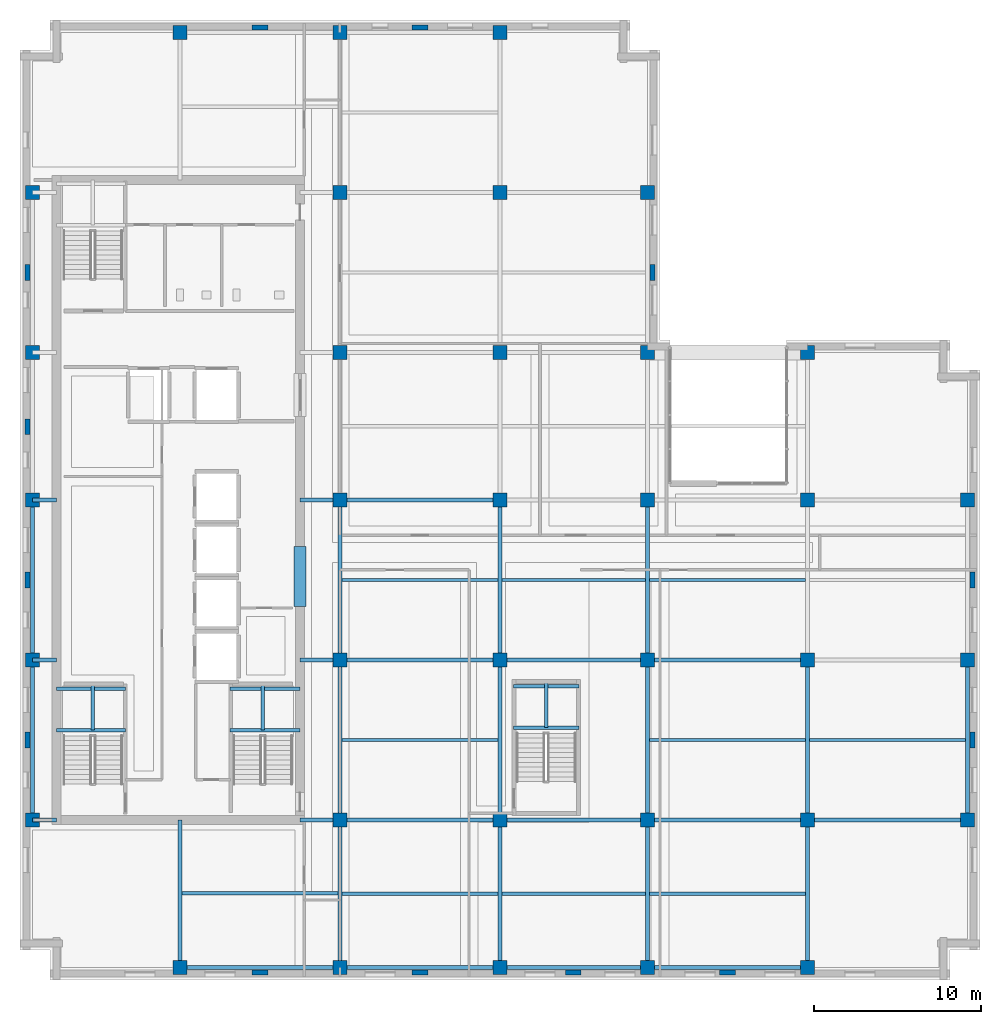
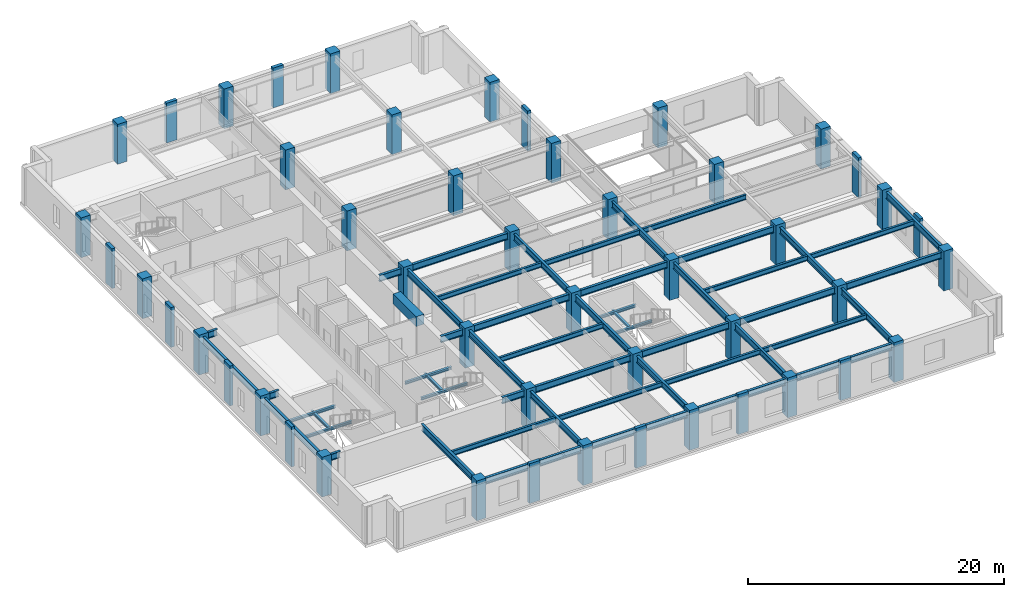
# One storey, part 1 of 12: 53 beams, 48 columns.
"""IFC4 building model written with IfcOpenShell, lengths in metres."""

from ifc_helpers import new_model, si_unit, direction, frame, origin, origin_2d, place, context, subcontext, project, spatial, rectangle, i_section, extrude, material, material_profile, profile_set, type_object, element, save


model = new_model("IFC4")

# Units and contexts
model_context = context("Model", 3, precision=1e-05, world=origin(), true_north=direction((0.0, 1.0)))
body_context = subcontext(model_context, "Body", "Model", "MODEL_VIEW")
ifc_project = project(units=[si_unit("LENGTHUNIT", "METRE"), si_unit("AREAUNIT", "SQUARE_METRE"), si_unit("VOLUMEUNIT", "CUBIC_METRE"), si_unit("PLANEANGLEUNIT", "RADIAN"), si_unit("MASSUNIT", "GRAM", prefix="KILO")], contexts=[model_context])

# Site, building, storey
site_placement = place(None, origin())
site = spatial("IfcSite", under=ifc_project, at=site_placement, CompositionType="ELEMENT")
building_placement = place(site_placement, origin())
building = spatial("IfcBuilding", under=site, at=building_placement, Name="Norrvale University Quadrangle", CompositionType="ELEMENT")
storey_placement = place(building_placement, frame((0.0, 0.0, 225.60009765625)))
storey = spatial("IfcBuildingStorey", under=building, at=storey_placement, Name="L57", CompositionType="ELEMENT", Elevation=225.60009765625)

# Columns
ifc_material_1 = material(Name="Red Manganese Brick Concrete C60/75", Category="concrete")
ifc_material_profile_1 = material_profile(ifc_material_1, rectangle(XDim=0.949951171875, YDim=0.300048828125, at=origin_2d()), Name="Red Manganese Brick Concrete C60/75")
ifc_profile_set_1 = profile_set([ifc_material_profile_1], Name="Red Manganese Brick Concrete C60/75")
column_type_1 = type_object("IfcColumnType", Name="Column Brick Pier 950x300", PredefinedType="PILASTER", material=ifc_profile_set_1)
for number, where, z_axis, x_axis, name in (
    (1, (0.449951171875, 14.39990234375, 0.0), (0.0, 0.0, 1.0), (0.0, 1.0, 0.0), "Exterior Brick Facade Pilaster L57-01"),
    (2, (0.449951171875, 24.0, 0.0), (0.0, 0.0, 1.0), (0.0, 1.0, 0.0), "Exterior Brick Facade Pilaster L57-02"),
    (3, (0.449951171875, 33.199951171875, 0.0), (0.0, 0.0, 1.0), (0.0, 1.0, 0.0), "Exterior Brick Facade Pilaster L57-03"),
    (4, (0.449951171875, 42.449951171875, 0.0), (0.0, 0.0, 1.0), (0.0, 1.0, 0.0), "Exterior Brick Facade Pilaster L57-04"),
    (5, (14.39990234375, 0.449951171875, 0.0), (0.0, 0.0, 1.0), (1.0, 0.0, 0.0), "Exterior Brick Facade Pilaster L57-05"),
    (6, (24.0, 0.449951171875, 0.0), (0.0, 0.0, 1.0), (1.0, 0.0, 0.0), "Exterior Brick Facade Pilaster L57-06"),
    (7, (33.199951171875, 0.449951171875, 0.0), (0.0, 0.0, 1.0), (1.0, 0.0, 0.0), "Exterior Brick Facade Pilaster L57-07"),
    (8, (42.449951171875, 0.449951171875, 0.0), (0.0, 0.0, 1.0), (1.0, 0.0, 0.0), "Exterior Brick Facade Pilaster L57-08"),
    (9, (57.14990234375, 14.39990234375, 0.0), (0.0, 0.0, 1.0), (0.0, 1.0, 0.0), "Exterior Brick Facade Pilaster L57-09"),
    (10, (57.14990234375, 24.0, 0.0), (0.0, 0.0, 1.0), (0.0, 1.0, 0.0), "Exterior Brick Facade Pilaster L57-10"),
    (11, (14.39990234375, 57.14990234375, 0.0), (0.0, 0.0, 1.0), (1.0, 0.0, 0.0), "Exterior Brick Facade Pilaster L57-11"),
    (12, (24.0, 57.14990234375, 0.0), (0.0, 0.0, 1.0), (1.0, 0.0, 0.0), "Exterior Brick Facade Pilaster L57-12"),
    (13, (37.949951171875, 42.449951171875, 0.0), (0.0, 0.0, 1.0), (0.0, 1.0, 0.0), "Exterior Brick Facade Pilaster L57-13"),
):
    element("IfcColumn", number, at=place(storey_placement, frame(where, z_axis=z_axis, x_axis=x_axis)), inside=storey, type_object=column_type_1, Name=name, PredefinedType="PILASTER", context=body_context, shape_type="SweptSolid", body=[
        extrude(rectangle(XDim=0.949951171875, YDim=0.300048828125, at=origin_2d()), origin(), (0.0, 0.0, 1.0), 3.7998046875),
    ])
ifc_material_2 = material(Name="Concrete C60/75", Category="concrete")
ifc_material_profile_2 = material_profile(ifc_material_2, rectangle(XDim=0.85009765625, YDim=0.85009765625, at=origin_2d()), Name="Concrete C60/75")
ifc_profile_set_2 = profile_set([ifc_material_profile_2], Name="Concrete C60/75")
column_type_2 = type_object("IfcColumnType", Name="Column Tower Z3 850x850", PredefinedType="COLUMN", material=ifc_profile_set_2)
for number, where, z_axis, x_axis, name in (
    (14, (0.75, 9.60009765625, 0.0), (0.0, 0.0, 1.0), (1.0, 0.0, 0.0), "Tower Column L57-T01"),
    (15, (0.75, 19.199951171875, 0.0), (0.0, 0.0, 1.0), (1.0, 0.0, 0.0), "Tower Column L57-T02"),
    (16, (0.75, 28.800048828125, 0.0), (0.0, 0.0, 1.0), (1.0, 0.0, 0.0), "Tower Column L57-T03"),
    (17, (0.75, 37.64990234375, 0.0), (0.0, 0.0, 1.0), (1.0, 0.0, 0.0), "Tower Column L57-T04"),
    (18, (0.75, 47.25, 0.0), (0.0, 0.0, 1.0), (1.0, 0.0, 0.0), "Tower Column L57-T05"),
    (19, (9.60009765625, 0.75, 0.0), (0.0, 0.0, 1.0), (1.0, 0.0, 0.0), "Tower Column L57-T06"),
    (20, (9.60009765625, 56.85009765625, 0.0), (0.0, 0.0, 1.0), (1.0, 0.0, 0.0), "Tower Column L57-T07"),
    (21, (19.199951171875, 0.75, 0.0), (0.0, 0.0, 1.0), (1.0, 0.0, 0.0), "Tower Column L57-T08"),
    (22, (19.199951171875, 9.60009765625, 0.0), (0.0, 0.0, 1.0), (1.0, 0.0, 0.0), "Tower Column L57-T09"),
    (23, (19.199951171875, 19.199951171875, 0.0), (0.0, 0.0, 1.0), (1.0, 0.0, 0.0), "Tower Column L57-T10"),
    (24, (19.199951171875, 28.800048828125, 0.0), (0.0, 0.0, 1.0), (1.0, 0.0, 0.0), "Tower Column L57-T11"),
    (25, (19.199951171875, 37.64990234375, 0.0), (0.0, 0.0, 1.0), (1.0, 0.0, 0.0), "Tower Column L57-T12"),
    (26, (19.199951171875, 47.25, 0.0), (0.0, 0.0, 1.0), (1.0, 0.0, 0.0), "Tower Column L57-T13"),
    (27, (19.199951171875, 56.85009765625, 0.0), (0.0, 0.0, 1.0), (1.0, 0.0, 0.0), "Tower Column L57-T14"),
    (28, (28.800048828125, 0.75, 0.0), (0.0, 0.0, 1.0), (1.0, 0.0, 0.0), "Tower Column L57-T15"),
    (29, (28.800048828125, 9.60009765625, 0.0), (0.0, 0.0, 1.0), (1.0, 0.0, 0.0), "Tower Column L57-T16"),
    (30, (28.800048828125, 19.199951171875, 0.0), (0.0, 0.0, 1.0), (1.0, 0.0, 0.0), "Tower Column L57-T17"),
    (31, (28.800048828125, 28.800048828125, 0.0), (0.0, 0.0, 1.0), (1.0, 0.0, 0.0), "Tower Column L57-T18"),
    (32, (28.800048828125, 37.64990234375, 0.0), (0.0, 0.0, 1.0), (1.0, 0.0, 0.0), "Tower Column L57-T19"),
    (33, (28.800048828125, 47.25, 0.0), (0.0, 0.0, 1.0), (1.0, 0.0, 0.0), "Tower Column L57-T20"),
    (34, (28.800048828125, 56.85009765625, 0.0), (0.0, 0.0, 1.0), (1.0, 0.0, 0.0), "Tower Column L57-T21"),
    (35, (37.64990234375, 0.75, 0.0), (0.0, 0.0, 1.0), (1.0, 0.0, 0.0), "Tower Column L57-T22"),
    (36, (37.64990234375, 9.60009765625, 0.0), (0.0, 0.0, 1.0), (1.0, 0.0, 0.0), "Tower Column L57-T23"),
    (37, (37.64990234375, 19.199951171875, 0.0), (0.0, 0.0, 1.0), (1.0, 0.0, 0.0), "Tower Column L57-T24"),
    (38, (37.64990234375, 28.800048828125, 0.0), (0.0, 0.0, 1.0), (1.0, 0.0, 0.0), "Tower Column L57-T25"),
    (39, (37.64990234375, 37.64990234375, 0.0), (0.0, 0.0, 1.0), (1.0, 0.0, 0.0), "Tower Column L57-T26"),
    (40, (37.64990234375, 47.25, 0.0), (0.0, 0.0, 1.0), (1.0, 0.0, 0.0), "Tower Column L57-T27"),
    (41, (47.25, 0.75, 0.0), (0.0, 0.0, 1.0), (1.0, 0.0, 0.0), "Tower Column L57-T28"),
    (42, (47.25, 9.60009765625, 0.0), (0.0, 0.0, 1.0), (1.0, 0.0, 0.0), "Tower Column L57-T29"),
    (43, (47.25, 19.199951171875, 0.0), (0.0, 0.0, 1.0), (1.0, 0.0, 0.0), "Tower Column L57-T30"),
    (44, (47.25, 28.800048828125, 0.0), (0.0, 0.0, 1.0), (1.0, 0.0, 0.0), "Tower Column L57-T31"),
    (45, (47.25, 37.64990234375, 0.0), (0.0, 0.0, 1.0), (1.0, 0.0, 0.0), "Tower Column L57-T32"),
    (46, (56.85009765625, 9.60009765625, 0.0), (0.0, 0.0, 1.0), (1.0, 0.0, 0.0), "Tower Column L57-T33"),
    (47, (56.85009765625, 19.199951171875, 0.0), (0.0, 0.0, 1.0), (1.0, 0.0, 0.0), "Tower Column L57-T34"),
    (48, (56.85009765625, 28.800048828125, 0.0), (0.0, 0.0, 1.0), (1.0, 0.0, 0.0), "Tower Column L57-T35"),
):
    element("IfcColumn", number, at=place(storey_placement, frame(where, z_axis=z_axis, x_axis=x_axis)), inside=storey, type_object=column_type_2, Name=name, PredefinedType="COLUMN", context=body_context, shape_type="SweptSolid", body=[
        extrude(rectangle(XDim=0.85009765625, YDim=0.85009765625, at=origin_2d()), origin(), (0.0, 0.0, 1.0), 3.7998046875),
    ])

# Beams
ifc_material_3 = material(Name="Concrete C80/95", Category="concrete")
ifc_material_profile_3 = material_profile(ifc_material_3, rectangle(XDim=0.699951171875, YDim=0.949951171875, at=origin_2d()), Name="Concrete C80/95")
ifc_profile_set_3 = profile_set([ifc_material_profile_3], Name="Concrete C80/95")
beam_type_1 = type_object("IfcBeamType", Name="Beam Core Link 700x950", PredefinedType="LINTEL", material=ifc_profile_set_3)
beam_1_placement = place(storey_placement, frame((16.800048828125, 22.39990234375, 3.06494140625), z_axis=(0.0, 1.0, 0.0), x_axis=(-1.0, 0.0, 0.0)))
element("IfcBeam", 49, at=beam_1_placement, inside=storey, type_object=beam_type_1, Name="Core Coupling Lintel Beam L57-1", PredefinedType="LINTEL", context=body_context, shape_type="SweptSolid", body=[
    extrude(rectangle(XDim=0.699951171875, YDim=0.949951171875, at=origin_2d()), origin(), (0.0, 0.0, 1.0), 3.60009765625),
])
ifc_material_4 = material(Name="Steel 350W", Category="steel")
ifc_material_profile_4 = material_profile(ifc_material_4, i_section(OverallWidth=0.194091796875, OverallDepth=0.468994140625, WebThickness=0.0126953125, FlangeThickness=0.0205078125, FilletRadius=0.012939453125, at=origin_2d()), Name="Steel 350W")
ifc_profile_set_4 = profile_set([ifc_material_profile_4], Name="Steel 350W")
beam_type_2 = type_object("IfcBeamType", Name="Beam Floor W460x106", PredefinedType="BEAM", material=ifc_profile_set_4)
for number, where, z_axis, x_axis, name in (
    (50, (19.31494140625, 5.175048828125, 3.305419921875), (1.0, 0.0, 0.0), (0.0, 1.0, 0.0), "Beam Floor W460x106 BM-L57-J060"),
    (51, (19.31494140625, 14.39990234375, 3.305419921875), (1.0, 0.0, 0.0), (0.0, 1.0, 0.0), "Beam Floor W460x106 BM-L57-J061"),
    (52, (19.31494140625, 24.0, 3.305419921875), (1.0, 0.0, 0.0), (0.0, 1.0, 0.0), "Beam Floor W460x106 BM-L57-J062"),
):
    element("IfcBeam", number, at=place(storey_placement, frame(where, z_axis=z_axis, x_axis=x_axis)), inside=storey, type_object=beam_type_2, Name=name, PredefinedType="BEAM", context=body_context, shape_type="SweptSolid", body=[
        extrude(i_section(OverallWidth=0.194091796875, OverallDepth=0.468994140625, WebThickness=0.0126953125, FlangeThickness=0.0205078125, FilletRadius=0.012939453125, at=origin_2d()), origin(), (0.0, 0.0, 1.0), 9.3701171875),
    ])
for number, where, z_axis, x_axis, name in (
    (53, (28.9150390625, 5.175048828125, 3.305419921875), (1.0, 0.0, 0.0), (0.0, 1.0, 0.0), "Beam Floor W460x106 BM-L57-J066"),
    (54, (28.9150390625, 24.0, 3.305419921875), (1.0, 0.0, 0.0), (0.0, 1.0, 0.0), "Beam Floor W460x106 BM-L57-J067"),
):
    element("IfcBeam", number, at=place(storey_placement, frame(where, z_axis=z_axis, x_axis=x_axis)), inside=storey, type_object=beam_type_2, Name=name, PredefinedType="BEAM", context=body_context, shape_type="SweptSolid", body=[
        extrude(i_section(OverallWidth=0.194091796875, OverallDepth=0.468994140625, WebThickness=0.0126953125, FlangeThickness=0.0205078125, FilletRadius=0.012939453125, at=origin_2d()), origin(), (0.0, 0.0, 1.0), 8.619873046875),
    ])
for number, where, z_axis, x_axis, name in (
    (55, (37.764892578125, 5.175048828125, 3.305419921875), (1.0, 0.0, 0.0), (0.0, 1.0, 0.0), "Beam Floor W460x106 BM-L57-J070"),
    (56, (37.764892578125, 14.39990234375, 3.305419921875), (1.0, 0.0, 0.0), (0.0, 1.0, 0.0), "Beam Floor W460x106 BM-L57-J071"),
    (57, (37.764892578125, 24.0, 3.305419921875), (1.0, 0.0, 0.0), (0.0, 1.0, 0.0), "Beam Floor W460x106 BM-L57-J072"),
    (58, (47.364990234375, 14.39990234375, 3.305419921875), (1.0, 0.0, 0.0), (0.0, 1.0, 0.0), "Beam Floor W460x106 BM-L57-J074"),
):
    element("IfcBeam", number, at=place(storey_placement, frame(where, z_axis=z_axis, x_axis=x_axis)), inside=storey, type_object=beam_type_2, Name=name, PredefinedType="BEAM", context=body_context, shape_type="SweptSolid", body=[
        extrude(i_section(OverallWidth=0.194091796875, OverallDepth=0.468994140625, WebThickness=0.0126953125, FlangeThickness=0.0205078125, FilletRadius=0.012939453125, at=origin_2d()), origin(), (0.0, 0.0, 1.0), 9.3701171875),
    ])
beam_2_placement = place(storey_placement, frame((9.715087890625, 5.199951171875, 3.305419921875), z_axis=(1.0, 0.0, 0.0), x_axis=(0.0, 1.0, 0.0)))
element("IfcBeam", 59, at=beam_2_placement, inside=storey, type_object=beam_type_2, Name="Beam Floor W460x106 BM-L57-JCS077", PredefinedType="BEAM", context=body_context, shape_type="SweptSolid", body=[
    extrude(i_section(OverallWidth=0.194091796875, OverallDepth=0.468994140625, WebThickness=0.0126953125, FlangeThickness=0.0205078125, FilletRadius=0.012939453125, at=origin_2d()), origin(), (0.0, 0.0, 1.0), 9.369873046875),
])
ifc_material_profile_5 = material_profile(ifc_material_4, i_section(OverallWidth=0.22998046875, OverallDepth=0.616943359375, WebThickness=0.01318359375, FlangeThickness=0.022216796875, FilletRadius=0.01611328125, at=origin_2d()), Name="Steel 350W")
ifc_profile_set_5 = profile_set([ifc_material_profile_5], Name="Steel 350W")
beam_type_3 = type_object("IfcBeamType", Name="Beam Floor W610x140", PredefinedType="BEAM", material=ifc_profile_set_5)
beam_3_placement = place(storey_placement, frame((9.60009765625, 0.75, 3.2314453125), z_axis=(1.0, 0.0, 0.0), x_axis=(0.0, 1.0, 0.0)))
element("IfcBeam", 60, at=beam_3_placement, inside=storey, type_object=beam_type_3, Name="Beam Floor W610x140 BM-L57-GX001", PredefinedType="BEAM", context=body_context, shape_type="SweptSolid", body=[
    extrude(i_section(OverallWidth=0.22998046875, OverallDepth=0.616943359375, WebThickness=0.01318359375, FlangeThickness=0.022216796875, FilletRadius=0.01611328125, at=origin_2d()), origin(), (0.0, 0.0, 1.0), 9.599853515625),
])
beam_4_placement = place(storey_placement, frame((19.199951171875, 0.75, 3.2314453125), z_axis=(1.0, 0.0, 0.0), x_axis=(0.0, 1.0, 0.0)))
element("IfcBeam", 61, at=beam_4_placement, inside=storey, type_object=beam_type_3, Name="Beam Floor W610x140 BM-L57-GX002", PredefinedType="BEAM", context=body_context, shape_type="SweptSolid", body=[
    extrude(i_section(OverallWidth=0.22998046875, OverallDepth=0.616943359375, WebThickness=0.01318359375, FlangeThickness=0.022216796875, FilletRadius=0.01611328125, at=origin_2d()), origin(), (0.0, 0.0, 1.0), 9.60009765625),
])
beam_5_placement = place(storey_placement, frame((28.800048828125, 0.75, 3.2314453125), z_axis=(1.0, 0.0, 0.0), x_axis=(0.0, 1.0, 0.0)))
element("IfcBeam", 62, at=beam_5_placement, inside=storey, type_object=beam_type_3, Name="Beam Floor W610x140 BM-L57-GX003", PredefinedType="BEAM", context=body_context, shape_type="SweptSolid", body=[
    extrude(i_section(OverallWidth=0.22998046875, OverallDepth=0.616943359375, WebThickness=0.01318359375, FlangeThickness=0.022216796875, FilletRadius=0.01611328125, at=origin_2d()), origin(), (0.0, 0.0, 1.0), 8.849853515625),
])
for number, where, z_axis, x_axis, name in (
    (63, (37.64990234375, 0.75, 3.2314453125), (1.0, 0.0, 0.0), (0.0, 1.0, 0.0), "Beam Floor W610x140 BM-L57-GX004"),
    (64, (19.199951171875, 9.60009765625, 3.2314453125), (1.0, 0.0, 0.0), (0.0, 1.0, 0.0), "Beam Floor W610x140 BM-L57-GX005"),
):
    element("IfcBeam", number, at=place(storey_placement, frame(where, z_axis=z_axis, x_axis=x_axis)), inside=storey, type_object=beam_type_3, Name=name, PredefinedType="BEAM", context=body_context, shape_type="SweptSolid", body=[
        extrude(i_section(OverallWidth=0.22998046875, OverallDepth=0.616943359375, WebThickness=0.01318359375, FlangeThickness=0.022216796875, FilletRadius=0.01611328125, at=origin_2d()), origin(), (0.0, 0.0, 1.0), 9.60009765625),
    ])
beam_6_placement = place(storey_placement, frame((28.800048828125, 9.60009765625, 3.2314453125), z_axis=(1.0, 0.0, 0.0), x_axis=(0.0, 1.0, 0.0)))
element("IfcBeam", 65, at=beam_6_placement, inside=storey, type_object=beam_type_3, Name="Beam Floor W610x140 BM-L57-GX006", PredefinedType="BEAM", context=body_context, shape_type="SweptSolid", body=[
    extrude(i_section(OverallWidth=0.22998046875, OverallDepth=0.616943359375, WebThickness=0.01318359375, FlangeThickness=0.022216796875, FilletRadius=0.01611328125, at=origin_2d()), origin(), (0.0, 0.0, 1.0), 8.849853515625),
])
for number, where, z_axis, x_axis, name in (
    (66, (37.64990234375, 9.60009765625, 3.2314453125), (1.0, 0.0, 0.0), (0.0, 1.0, 0.0), "Beam Floor W610x140 BM-L57-GX007"),
    (67, (47.25, 9.60009765625, 3.2314453125), (1.0, 0.0, 0.0), (0.0, 1.0, 0.0), "Beam Floor W610x140 BM-L57-GX008"),
    (68, (19.199951171875, 19.199951171875, 3.2314453125), (1.0, 0.0, 0.0), (0.0, 1.0, 0.0), "Beam Floor W610x140 BM-L57-GX009"),
):
    element("IfcBeam", number, at=place(storey_placement, frame(where, z_axis=z_axis, x_axis=x_axis)), inside=storey, type_object=beam_type_3, Name=name, PredefinedType="BEAM", context=body_context, shape_type="SweptSolid", body=[
        extrude(i_section(OverallWidth=0.22998046875, OverallDepth=0.616943359375, WebThickness=0.01318359375, FlangeThickness=0.022216796875, FilletRadius=0.01611328125, at=origin_2d()), origin(), (0.0, 0.0, 1.0), 9.60009765625),
    ])
beam_7_placement = place(storey_placement, frame((28.800048828125, 19.199951171875, 3.2314453125), z_axis=(1.0, 0.0, 0.0), x_axis=(0.0, 1.0, 0.0)))
element("IfcBeam", 69, at=beam_7_placement, inside=storey, type_object=beam_type_3, Name="Beam Floor W610x140 BM-L57-GX010", PredefinedType="BEAM", context=body_context, shape_type="SweptSolid", body=[
    extrude(i_section(OverallWidth=0.22998046875, OverallDepth=0.616943359375, WebThickness=0.01318359375, FlangeThickness=0.022216796875, FilletRadius=0.01611328125, at=origin_2d()), origin(), (0.0, 0.0, 1.0), 8.849853515625),
])
for number, where, z_axis, x_axis, name in (
    (70, (37.64990234375, 19.199951171875, 3.2314453125), (1.0, 0.0, 0.0), (0.0, 1.0, 0.0), "Beam Floor W610x140 BM-L57-GX011"),
    (71, (19.199951171875, 28.800048828125, 3.2314453125), (1.0, 0.0, 0.0), (0.0, 1.0, 0.0), "Beam Floor W610x140 BM-L57-GX013"),
):
    element("IfcBeam", number, at=place(storey_placement, frame(where, z_axis=z_axis, x_axis=x_axis)), inside=storey, type_object=beam_type_3, Name=name, PredefinedType="BEAM", context=body_context, shape_type="SweptSolid", body=[
        extrude(i_section(OverallWidth=0.22998046875, OverallDepth=0.616943359375, WebThickness=0.01318359375, FlangeThickness=0.022216796875, FilletRadius=0.01611328125, at=origin_2d()), origin(), (0.0, 0.0, 1.0), 9.60009765625),
    ])
beam_8_placement = place(storey_placement, frame((0.75, 9.60009765625, 3.2314453125), z_axis=(0.0, 1.0, 0.0), x_axis=(-1.0, 0.0, 0.0)))
element("IfcBeam", 72, at=beam_8_placement, inside=storey, type_object=beam_type_3, Name="Beam Floor W610x140 BM-L57-GY023", PredefinedType="BEAM", context=body_context, shape_type="SweptSolid", body=[
    extrude(i_section(OverallWidth=0.22998046875, OverallDepth=0.616943359375, WebThickness=0.01318359375, FlangeThickness=0.022216796875, FilletRadius=0.01611328125, at=origin_2d()), origin(), (0.0, 0.0, 1.0), 9.599853515625),
])
beam_9_placement = place(storey_placement, frame((0.75, 19.199951171875, 3.2314453125), z_axis=(0.0, 1.0, 0.0), x_axis=(-1.0, 0.0, 0.0)))
element("IfcBeam", 73, at=beam_9_placement, inside=storey, type_object=beam_type_3, Name="Beam Floor W610x140 BM-L57-GY024", PredefinedType="BEAM", context=body_context, shape_type="SweptSolid", body=[
    extrude(i_section(OverallWidth=0.22998046875, OverallDepth=0.616943359375, WebThickness=0.01318359375, FlangeThickness=0.022216796875, FilletRadius=0.01611328125, at=origin_2d()), origin(), (0.0, 0.0, 1.0), 9.60009765625),
])
beam_10_placement = place(storey_placement, frame((19.199951171875, 0.75, 3.2314453125), z_axis=(0.0, 1.0, 0.0), x_axis=(-1.0, 0.0, 0.0)))
element("IfcBeam", 74, at=beam_10_placement, inside=storey, type_object=beam_type_3, Name="Beam Floor W610x140 BM-L57-GY027", PredefinedType="BEAM", context=body_context, shape_type="SweptSolid", body=[
    extrude(i_section(OverallWidth=0.22998046875, OverallDepth=0.616943359375, WebThickness=0.01318359375, FlangeThickness=0.022216796875, FilletRadius=0.01611328125, at=origin_2d()), origin(), (0.0, 0.0, 1.0), 8.85009765625),
])
beam_11_placement = place(storey_placement, frame((19.199951171875, 9.60009765625, 3.2314453125), z_axis=(0.0, 1.0, 0.0), x_axis=(-1.0, 0.0, 0.0)))
element("IfcBeam", 75, at=beam_11_placement, inside=storey, type_object=beam_type_3, Name="Beam Floor W610x140 BM-L57-GY028", PredefinedType="BEAM", context=body_context, shape_type="SweptSolid", body=[
    extrude(i_section(OverallWidth=0.22998046875, OverallDepth=0.616943359375, WebThickness=0.01318359375, FlangeThickness=0.022216796875, FilletRadius=0.01611328125, at=origin_2d()), origin(), (0.0, 0.0, 1.0), 9.599853515625),
])
beam_12_placement = place(storey_placement, frame((19.199951171875, 19.199951171875, 3.2314453125), z_axis=(0.0, 1.0, 0.0), x_axis=(-1.0, 0.0, 0.0)))
element("IfcBeam", 76, at=beam_12_placement, inside=storey, type_object=beam_type_3, Name="Beam Floor W610x140 BM-L57-GY029", PredefinedType="BEAM", context=body_context, shape_type="SweptSolid", body=[
    extrude(i_section(OverallWidth=0.22998046875, OverallDepth=0.616943359375, WebThickness=0.01318359375, FlangeThickness=0.022216796875, FilletRadius=0.01611328125, at=origin_2d()), origin(), (0.0, 0.0, 1.0), 9.60009765625),
])
beam_13_placement = place(storey_placement, frame((28.800048828125, 0.75, 3.2314453125), z_axis=(0.0, 1.0, 0.0), x_axis=(-1.0, 0.0, 0.0)))
element("IfcBeam", 77, at=beam_13_placement, inside=storey, type_object=beam_type_3, Name="Beam Floor W610x140 BM-L57-GY033", PredefinedType="BEAM", context=body_context, shape_type="SweptSolid", body=[
    extrude(i_section(OverallWidth=0.22998046875, OverallDepth=0.616943359375, WebThickness=0.01318359375, FlangeThickness=0.022216796875, FilletRadius=0.01611328125, at=origin_2d()), origin(), (0.0, 0.0, 1.0), 8.85009765625),
])
beam_14_placement = place(storey_placement, frame((28.800048828125, 9.60009765625, 3.2314453125), z_axis=(0.0, 1.0, 0.0), x_axis=(-1.0, 0.0, 0.0)))
element("IfcBeam", 78, at=beam_14_placement, inside=storey, type_object=beam_type_3, Name="Beam Floor W610x140 BM-L57-GY034", PredefinedType="BEAM", context=body_context, shape_type="SweptSolid", body=[
    extrude(i_section(OverallWidth=0.22998046875, OverallDepth=0.616943359375, WebThickness=0.01318359375, FlangeThickness=0.022216796875, FilletRadius=0.01611328125, at=origin_2d()), origin(), (0.0, 0.0, 1.0), 9.599853515625),
])
beam_15_placement = place(storey_placement, frame((28.800048828125, 19.199951171875, 3.2314453125), z_axis=(0.0, 1.0, 0.0), x_axis=(-1.0, 0.0, 0.0)))
element("IfcBeam", 79, at=beam_15_placement, inside=storey, type_object=beam_type_3, Name="Beam Floor W610x140 BM-L57-GY035", PredefinedType="BEAM", context=body_context, shape_type="SweptSolid", body=[
    extrude(i_section(OverallWidth=0.22998046875, OverallDepth=0.616943359375, WebThickness=0.01318359375, FlangeThickness=0.022216796875, FilletRadius=0.01611328125, at=origin_2d()), origin(), (0.0, 0.0, 1.0), 9.60009765625),
])
beam_16_placement = place(storey_placement, frame((37.64990234375, 0.75, 3.2314453125), z_axis=(0.0, 1.0, 0.0), x_axis=(-1.0, 0.0, 0.0)))
element("IfcBeam", 80, at=beam_16_placement, inside=storey, type_object=beam_type_3, Name="Beam Floor W610x140 BM-L57-GY039", PredefinedType="BEAM", context=body_context, shape_type="SweptSolid", body=[
    extrude(i_section(OverallWidth=0.22998046875, OverallDepth=0.616943359375, WebThickness=0.01318359375, FlangeThickness=0.022216796875, FilletRadius=0.01611328125, at=origin_2d()), origin(), (0.0, 0.0, 1.0), 8.85009765625),
])
beam_17_placement = place(storey_placement, frame((37.64990234375, 9.60009765625, 3.2314453125), z_axis=(0.0, 1.0, 0.0), x_axis=(-1.0, 0.0, 0.0)))
element("IfcBeam", 81, at=beam_17_placement, inside=storey, type_object=beam_type_3, Name="Beam Floor W610x140 BM-L57-GY040", PredefinedType="BEAM", context=body_context, shape_type="SweptSolid", body=[
    extrude(i_section(OverallWidth=0.22998046875, OverallDepth=0.616943359375, WebThickness=0.01318359375, FlangeThickness=0.022216796875, FilletRadius=0.01611328125, at=origin_2d()), origin(), (0.0, 0.0, 1.0), 9.599853515625),
])
beam_18_placement = place(storey_placement, frame((37.64990234375, 19.199951171875, 3.2314453125), z_axis=(0.0, 1.0, 0.0), x_axis=(-1.0, 0.0, 0.0)))
element("IfcBeam", 82, at=beam_18_placement, inside=storey, type_object=beam_type_3, Name="Beam Floor W610x140 BM-L57-GY041", PredefinedType="BEAM", context=body_context, shape_type="SweptSolid", body=[
    extrude(i_section(OverallWidth=0.22998046875, OverallDepth=0.616943359375, WebThickness=0.01318359375, FlangeThickness=0.022216796875, FilletRadius=0.01611328125, at=origin_2d()), origin(), (0.0, 0.0, 1.0), 9.60009765625),
])
beam_19_placement = place(storey_placement, frame((47.25, 0.75, 3.2314453125), z_axis=(0.0, 1.0, 0.0), x_axis=(-1.0, 0.0, 0.0)))
element("IfcBeam", 83, at=beam_19_placement, inside=storey, type_object=beam_type_3, Name="Beam Floor W610x140 BM-L57-GY044", PredefinedType="BEAM", context=body_context, shape_type="SweptSolid", body=[
    extrude(i_section(OverallWidth=0.22998046875, OverallDepth=0.616943359375, WebThickness=0.01318359375, FlangeThickness=0.022216796875, FilletRadius=0.01611328125, at=origin_2d()), origin(), (0.0, 0.0, 1.0), 8.85009765625),
])
for number, where, z_axis, x_axis, name in (
    (84, (47.25, 9.60009765625, 3.2314453125), (0.0, 1.0, 0.0), (-1.0, 0.0, 0.0), "Beam Floor W610x140 BM-L57-GY045"),
    (85, (56.85009765625, 9.60009765625, 3.2314453125), (0.0, 1.0, 0.0), (-1.0, 0.0, 0.0), "Beam Floor W610x140 BM-L57-GY048"),
):
    element("IfcBeam", number, at=place(storey_placement, frame(where, z_axis=z_axis, x_axis=x_axis)), inside=storey, type_object=beam_type_3, Name=name, PredefinedType="BEAM", context=body_context, shape_type="SweptSolid", body=[
        extrude(i_section(OverallWidth=0.22998046875, OverallDepth=0.616943359375, WebThickness=0.01318359375, FlangeThickness=0.022216796875, FilletRadius=0.01611328125, at=origin_2d()), origin(), (0.0, 0.0, 1.0), 9.599853515625),
    ])
beam_20_placement = place(storey_placement, frame((0.75, 9.60009765625, 3.2314453125), z_axis=(1.0, 0.0, 0.0), x_axis=(0.0, 1.0, 0.0)))
element("IfcBeam", 86, at=beam_20_placement, inside=storey, type_object=beam_type_3, Name="Beam Floor W610x140 BM-L57-GCW050", PredefinedType="BEAM", context=body_context, shape_type="SweptSolid", body=[
    extrude(i_section(OverallWidth=0.22998046875, OverallDepth=0.616943359375, WebThickness=0.01318359375, FlangeThickness=0.022216796875, FilletRadius=0.01611328125, at=origin_2d()), origin(), (0.0, 0.0, 1.0), 1.449951171875),
])
beam_21_placement = place(storey_placement, frame((16.800048828125, 9.60009765625, 3.2314453125), z_axis=(1.0, 0.0, 0.0), x_axis=(0.0, 1.0, 0.0)))
element("IfcBeam", 87, at=beam_21_placement, inside=storey, type_object=beam_type_3, Name="Beam Floor W610x140 BM-L57-GCE051", PredefinedType="BEAM", context=body_context, shape_type="SweptSolid", body=[
    extrude(i_section(OverallWidth=0.22998046875, OverallDepth=0.616943359375, WebThickness=0.01318359375, FlangeThickness=0.022216796875, FilletRadius=0.01611328125, at=origin_2d()), origin(), (0.0, 0.0, 1.0), 2.39990234375),
])
beam_22_placement = place(storey_placement, frame((0.75, 19.199951171875, 3.2314453125), z_axis=(1.0, 0.0, 0.0), x_axis=(0.0, 1.0, 0.0)))
element("IfcBeam", 88, at=beam_22_placement, inside=storey, type_object=beam_type_3, Name="Beam Floor W610x140 BM-L57-GCW052", PredefinedType="BEAM", context=body_context, shape_type="SweptSolid", body=[
    extrude(i_section(OverallWidth=0.22998046875, OverallDepth=0.616943359375, WebThickness=0.01318359375, FlangeThickness=0.022216796875, FilletRadius=0.01611328125, at=origin_2d()), origin(), (0.0, 0.0, 1.0), 1.449951171875),
])
beam_23_placement = place(storey_placement, frame((16.800048828125, 19.199951171875, 3.2314453125), z_axis=(1.0, 0.0, 0.0), x_axis=(0.0, 1.0, 0.0)))
element("IfcBeam", 89, at=beam_23_placement, inside=storey, type_object=beam_type_3, Name="Beam Floor W610x140 BM-L57-GCE053", PredefinedType="BEAM", context=body_context, shape_type="SweptSolid", body=[
    extrude(i_section(OverallWidth=0.22998046875, OverallDepth=0.616943359375, WebThickness=0.01318359375, FlangeThickness=0.022216796875, FilletRadius=0.01611328125, at=origin_2d()), origin(), (0.0, 0.0, 1.0), 2.39990234375),
])
beam_24_placement = place(storey_placement, frame((0.75, 28.800048828125, 3.2314453125), z_axis=(1.0, 0.0, 0.0), x_axis=(0.0, 1.0, 0.0)))
element("IfcBeam", 90, at=beam_24_placement, inside=storey, type_object=beam_type_3, Name="Beam Floor W610x140 BM-L57-GCW054", PredefinedType="BEAM", context=body_context, shape_type="SweptSolid", body=[
    extrude(i_section(OverallWidth=0.22998046875, OverallDepth=0.616943359375, WebThickness=0.01318359375, FlangeThickness=0.022216796875, FilletRadius=0.01611328125, at=origin_2d()), origin(), (0.0, 0.0, 1.0), 1.449951171875),
])
beam_25_placement = place(storey_placement, frame((16.800048828125, 28.800048828125, 3.2314453125), z_axis=(1.0, 0.0, 0.0), x_axis=(0.0, 1.0, 0.0)))
element("IfcBeam", 91, at=beam_25_placement, inside=storey, type_object=beam_type_3, Name="Beam Floor W610x140 BM-L57-GCE055", PredefinedType="BEAM", context=body_context, shape_type="SweptSolid", body=[
    extrude(i_section(OverallWidth=0.22998046875, OverallDepth=0.616943359375, WebThickness=0.01318359375, FlangeThickness=0.022216796875, FilletRadius=0.01611328125, at=origin_2d()), origin(), (0.0, 0.0, 1.0), 2.39990234375),
])
beam_26_placement = place(storey_placement, frame((9.60009765625, 0.75, 3.2314453125), z_axis=(0.0, 1.0, 0.0), x_axis=(-1.0, 0.0, 0.0)))
element("IfcBeam", 92, at=beam_26_placement, inside=storey, type_object=beam_type_3, Name="Beam Floor W610x140 BM-L57-GCS076", PredefinedType="BEAM", context=body_context, shape_type="SweptSolid", body=[
    extrude(i_section(OverallWidth=0.22998046875, OverallDepth=0.616943359375, WebThickness=0.01318359375, FlangeThickness=0.022216796875, FilletRadius=0.01611328125, at=origin_2d()), origin(), (0.0, 0.0, 1.0), 8.85009765625),
])
ifc_material_profile_6 = material_profile(ifc_material_4, i_section(OverallWidth=0.201904296875, OverallDepth=0.2470703125, WebThickness=0.00732421875, FlangeThickness=0.010986328125, FilletRadius=0.011962890625, at=origin_2d()), Name="Steel 350W")
ifc_profile_set_6 = profile_set([ifc_material_profile_6], Name="Steel 350W")
beam_type_4 = type_object("IfcBeamType", Name="Beam Stair W250x49", PredefinedType="BEAM", material=ifc_profile_set_6)
for number, where, z_axis, x_axis, name in (
    (93, (2.199951171875, 14.989990234375, 1.576416015625), (1.0, 0.0, 0.0), (0.0, 1.0, 0.0), "Stair Mid-Landing Front Beam ST-01 L57"),
    (94, (2.199951171875, 17.469970703125, 1.576416015625), (1.0, 0.0, 0.0), (0.0, 1.0, 0.0), "Stair Mid-Landing Rear Beam ST-01 L57"),
):
    element("IfcBeam", number, at=place(storey_placement, frame(where, z_axis=z_axis, x_axis=x_axis)), inside=storey, type_object=beam_type_4, Name=name, PredefinedType="BEAM", context=body_context, shape_type="SweptSolid", body=[
        extrude(i_section(OverallWidth=0.201904296875, OverallDepth=0.2470703125, WebThickness=0.00732421875, FlangeThickness=0.010986328125, FilletRadius=0.011962890625, at=origin_2d()), origin(), (0.0, 0.0, 1.0), 4.14013671875),
    ])
for number, where, z_axis, x_axis, name in (
    (95, (12.610107421875, 14.989990234375, 1.576416015625), (1.0, 0.0, 0.0), (0.0, 1.0, 0.0), "Stair Mid-Landing Front Beam ST-03 L57"),
    (96, (12.610107421875, 17.469970703125, 1.576416015625), (1.0, 0.0, 0.0), (0.0, 1.0, 0.0), "Stair Mid-Landing Rear Beam ST-03 L57"),
):
    element("IfcBeam", number, at=place(storey_placement, frame(where, z_axis=z_axis, x_axis=x_axis)), inside=storey, type_object=beam_type_4, Name=name, PredefinedType="BEAM", context=body_context, shape_type="SweptSolid", body=[
        extrude(i_section(OverallWidth=0.201904296875, OverallDepth=0.2470703125, WebThickness=0.00732421875, FlangeThickness=0.010986328125, FilletRadius=0.011962890625, at=origin_2d()), origin(), (0.0, 0.0, 1.0), 4.18994140625),
    ])
for number, where, z_axis, x_axis, name in (
    (97, (29.610107421875, 15.139892578125, 1.576416015625), (1.0, 0.0, 0.0), (0.0, 1.0, 0.0), "Stair Mid-Landing Front Beam ST-04 L57"),
    (98, (29.610107421875, 17.6201171875, 1.576416015625), (1.0, 0.0, 0.0), (0.0, 1.0, 0.0), "Stair Mid-Landing Rear Beam ST-04 L57"),
):
    element("IfcBeam", number, at=place(storey_placement, frame(where, z_axis=z_axis, x_axis=x_axis)), inside=storey, type_object=beam_type_4, Name=name, PredefinedType="BEAM", context=body_context, shape_type="SweptSolid", body=[
        extrude(i_section(OverallWidth=0.201904296875, OverallDepth=0.2470703125, WebThickness=0.00732421875, FlangeThickness=0.010986328125, FilletRadius=0.011962890625, at=origin_2d()), origin(), (0.0, 0.0, 1.0), 3.929931640625),
    ])
ifc_material_profile_7 = material_profile(ifc_material_4, i_section(OverallWidth=0.202880859375, OverallDepth=0.202880859375, WebThickness=0.007080078125, FlangeThickness=0.010986328125, FilletRadius=0.010009765625, at=origin_2d()), Name="Steel 350W")
ifc_profile_set_7 = profile_set([ifc_material_profile_7], Name="Steel 350W")
beam_type_5 = type_object("IfcBeamType", Name="Beam Trim W200x46", PredefinedType="BEAM", material=ifc_profile_set_7)
for number, where, z_axis, x_axis, name in (
    (99, (4.375, 14.989990234375, 1.598388671875), (0.0, 1.0, 0.0), (-1.0, 0.0, 0.0), "Stair Mid-Landing Cross Beam ST-01 L57"),
    (100, (14.574951171875, 14.989990234375, 1.598388671875), (0.0, 1.0, 0.0), (-1.0, 0.0, 0.0), "Stair Mid-Landing Cross Beam ST-03 L57"),
    (101, (31.574951171875, 15.139892578125, 1.598388671875), (0.0, 1.0, 0.0), (-1.0, 0.0, 0.0), "Stair Mid-Landing Cross Beam ST-04 L57"),
):
    element("IfcBeam", number, at=place(storey_placement, frame(where, z_axis=z_axis, x_axis=x_axis)), inside=storey, type_object=beam_type_5, Name=name, PredefinedType="BEAM", context=body_context, shape_type="SweptSolid", body=[
        extrude(i_section(OverallWidth=0.202880859375, OverallDepth=0.202880859375, WebThickness=0.007080078125, FlangeThickness=0.010986328125, FilletRadius=0.010009765625, at=origin_2d()), origin(), (0.0, 0.0, 1.0), 2.800048828125),
    ])

save(model, "model.ifc")
